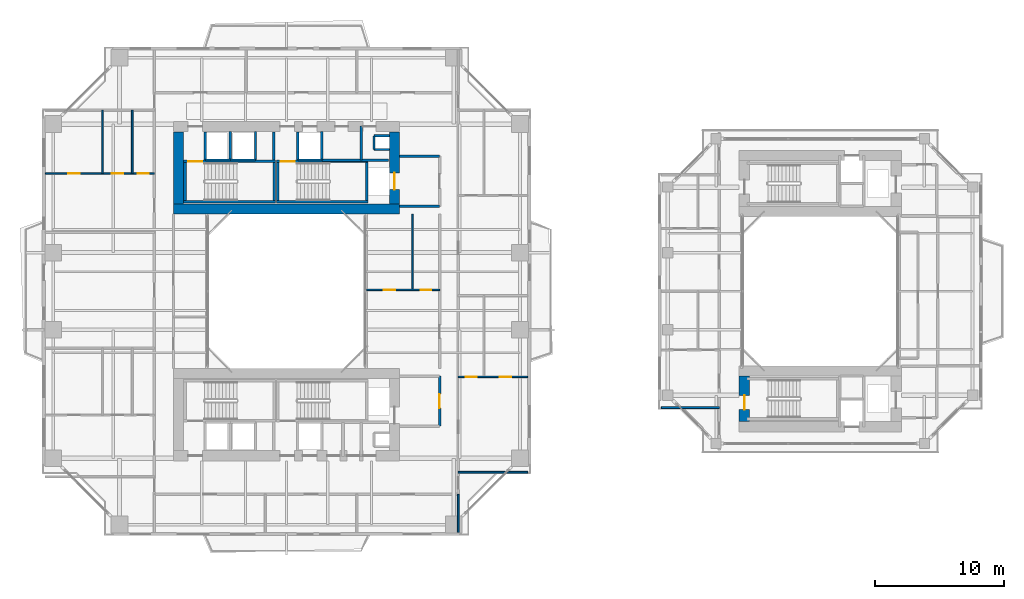
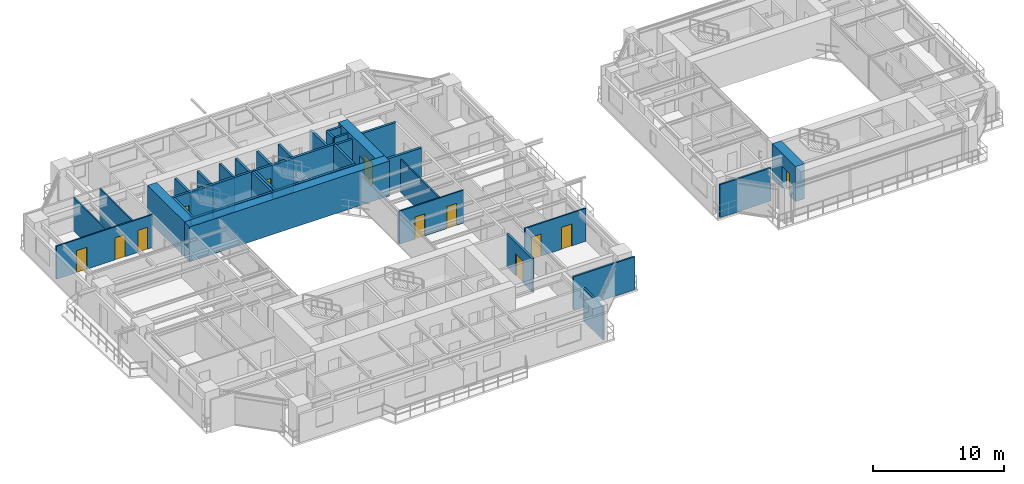
# One storey, part 15 of 23: 38 walls, 12 doors, 12 openings.
"""IFC4 building model written with IfcOpenShell, lengths in metres."""

from ifc_helpers import new_model, si_unit, direction, frame, frame_2d, origin, place, context, subcontext, project, spatial, rectangle, extrude, source, transform, mapped, material, layer, layer_set, type_object, element, fill, save


model = new_model("IFC4")

# Units and contexts
model_context = context("Model", 3, precision=1e-05, world=origin(), true_north=direction((0.0, 1.0)))
body_context = subcontext(model_context, "Body", "Model", "MODEL_VIEW")
ifc_project = project(units=[si_unit("LENGTHUNIT", "METRE"), si_unit("AREAUNIT", "SQUARE_METRE"), si_unit("VOLUMEUNIT", "CUBIC_METRE"), si_unit("PLANEANGLEUNIT", "RADIAN"), si_unit("MASSUNIT", "GRAM", prefix="KILO"), si_unit("THERMODYNAMICTEMPERATUREUNIT", "KELVIN"), si_unit("POWERUNIT", "WATT")], contexts=[model_context])

# Site, building, storey
site_placement = place(None, origin())
site = spatial("IfcSite", under=ifc_project, at=site_placement, CompositionType="ELEMENT")
building_placement = place(site_placement, origin())
building = spatial("IfcBuilding", under=site, at=building_placement, Name="Qiaomeng Ring Towers", CompositionType="ELEMENT")
storey_placement = place(building_placement, frame((0.0, 0.0, 86.0)))
storey = spatial("IfcBuildingStorey", under=building, at=storey_placement, Name="L24", CompositionType="ELEMENT", Elevation=86.0)

# Walls
ifc_material_1 = material(Name="Autoclaved aerated concrete block", Category="concrete")
ifc_layer_1 = layer(ifc_material_1, 0.199951171875, Name="Autoclaved aerated concrete block")
ifc_layer_set_1 = layer_set([ifc_layer_1], Name="Autoclaved aerated concrete block")
wall_type_1 = type_object("IfcWallType", Name="ARC-WL-PW1", PredefinedType="PARTITIONING", material=ifc_layer_set_1)
for number, where, z_axis, x_axis, name in (
    (1, (27.800048828125, 29.60009765625, 0.0), (0.0, 0.0, 1.0), (1.0, 0.0, 0.0), "L24 Interior Wall PW1"),
    (2, (27.800048828125, 33.5, 0.0), (0.0, 0.0, 1.0), (1.0, 0.0, 0.0), "L24 Interior Wall PW1"),
):
    element("IfcWall", number, at=place(storey_placement, frame(where, z_axis=z_axis, x_axis=x_axis)), inside=storey, type_object=wall_type_1, Name=name, PredefinedType="PARTITIONING", context=body_context, shape_type="SweptSolid", body=[
        extrude(rectangle(XDim=3.099853515625, YDim=0.199951171875, at=frame_2d((1.5498046875, 0.0))), origin(), (0.0, 0.0, 1.0), 3.070068359375),
    ])

# Wall, opening, door
wall_1_placement = place(storey_placement, frame((30.89990234375, 12.5, 0.0), z_axis=(0.0, 0.0, 1.0), x_axis=(0.0, 1.0, 0.0)))
wall_1 = element("IfcWall", 3, at=wall_1_placement, inside=storey, type_object=wall_type_1, Name="L24 Interior Wall PW1", PredefinedType="PARTITIONING", context=body_context, shape_type="SweptSolid", body=[
    extrude(rectangle(XDim=3.89990234375, YDim=0.199951171875, at=frame_2d((1.949951171875, 0.0))), origin(), (0.0, 0.0, 1.0), 3.070068359375),
])
opening_1_placement = place(wall_1_placement, frame((1.39990234375, 0.0, 0.0)))
opening_1 = element("IfcOpeningElement", 4, at=opening_1_placement, cuts=wall_1, Name="Opening FD3", PredefinedType="OPENING", context=body_context, shape_type="SweptSolid", body=[
    extrude(rectangle(XDim=1.10009765625, YDim=2.050048828125, at=frame_2d((0.550048828125, 1.02490234375))), frame((0.0, 0.10986328125, 0.0), z_axis=(0.0, -1.0, 0.0), x_axis=(1.0, 0.0, 0.0)), (0.0, 0.0, 1.0), 0.219970703125),
])
ifc_material_2 = material(Name="Galvanised steel", Category="steel")
door_type_1 = type_object("IfcDoorType", Name="ARC-DR-FD3", OperationType="NOTDEFINED", PredefinedType="DOOR", material=ifc_material_2)
shared_shape_1 = source(origin(), body_context, "Body", "SweptSolid", [
    extrude(rectangle(XDim=1.10009765625, YDim=2.050048828125, at=frame_2d((0.550048828125, 1.02490234375))), frame((0.0, 0.02490234375, 0.0), z_axis=(0.0, -1.0, 0.0), x_axis=(1.0, 0.0, 0.0)), (0.0, 0.0, 1.0), 0.050048828125),
])
door_1_placement = place(opening_1_placement, origin())
door_1 = element("IfcDoor", 5, at=door_1_placement, inside=storey, type_object=door_type_1, Name="L24 South FF Lobby Door", OperationType="SINGLE_SWING_RIGHT", OverallHeight=2.050048828125, OverallWidth=1.10009765625, PredefinedType="DOOR", context=body_context, shape_type="MappedRepresentation", body=[
    mapped(shared_shape_1, transform((0.0, 0.0, 0.0), x_axis=(1.0, 0.0, 0.0), y_axis=(0.0, 1.0, 0.0), z_axis=(0.0, 0.0, 1.0), scale=1.0)),
])
fill(opening_1, door_1)

# Walls
for number, where, z_axis, x_axis, name in (
    (6, (12.679931640625, 33.18994140625, 0.0), (0.0, 0.0, 1.0), (0.0, 1.0, 0.0), "L24 Interior Wall PW1"),
    (7, (18.0, 33.18994140625, 0.0), (0.0, 0.0, 1.0), (0.0, 1.0, 0.0), "L24 Interior Wall PW1"),
    (8, (19.8798828125, 33.18994140625, 0.0), (0.0, 0.0, 1.0), (0.0, 1.0, 0.0), "L24 Interior Wall PW1"),
):
    element("IfcWall", number, at=place(storey_placement, frame(where, z_axis=z_axis, x_axis=x_axis)), inside=storey, type_object=wall_type_1, Name=name, PredefinedType="PARTITIONING", context=body_context, shape_type="SweptSolid", body=[
        extrude(rectangle(XDim=2.2099609375, YDim=0.199951171875, at=frame_2d((1.10498046875, 0.0))), origin(), (0.0, 0.0, 1.0), 3.070068359375),
    ])
wall_2_placement = place(storey_placement, frame((24.820068359375, 33.199951171875, 0.0), z_axis=(0.0, 0.0, 1.0), x_axis=(0.0, 1.0, 0.0)))
element("IfcWall", 9, at=wall_2_placement, inside=storey, type_object=wall_type_1, Name="L24 Interior Wall PW1", PredefinedType="PARTITIONING", context=body_context, shape_type="SweptSolid", body=[
    extrude(rectangle(XDim=2.650146484375, YDim=0.199951171875, at=frame_2d((1.3251953125, 0.0))), origin(), (0.0, 0.0, 1.0), 3.070068359375),
])
wall_3_placement = place(storey_placement, frame((21.75, 33.199951171875, 0.0), z_axis=(0.0, 0.0, 1.0), x_axis=(0.0, 1.0, 0.0)))
element("IfcWall", 10, at=wall_3_placement, inside=storey, type_object=wall_type_1, Name="L24 Interior Wall PW1", PredefinedType="PARTITIONING", context=body_context, shape_type="SweptSolid", body=[
    extrude(rectangle(XDim=2.199951171875, YDim=0.199951171875, at=frame_2d((1.10009765625, 0.0))), origin(), (0.0, 0.0, 1.0), 3.070068359375),
])
wall_4_placement = place(storey_placement, frame((21.75, 33.199951171875, 0.0), z_axis=(0.0, 0.0, 1.0), x_axis=(1.0, 0.0, 0.0)))
element("IfcWall", 11, at=wall_4_placement, inside=storey, type_object=wall_type_1, Name="L24 Interior Wall PW1", PredefinedType="PARTITIONING", context=body_context, shape_type="SweptSolid", body=[
    extrude(rectangle(XDim=5.169921875, YDim=0.199951171875, at=frame_2d((2.5849609375, 0.0))), origin(), (0.0, 0.0, 1.0), 3.070068359375),
])
ifc_material_3 = material(Name="Gypsum fireboard steel-stud partition", Category="steel")
ifc_layer_2 = layer(ifc_material_3, 0.14990234375, Name="Gypsum fireboard steel-stud partition")
ifc_layer_set_2 = layer_set([ifc_layer_2], Name="Gypsum fireboard steel-stud partition")
wall_type_2 = type_object("IfcWallType", Name="ARC-WL-PW3", PredefinedType="PARTITIONING", material=ifc_layer_set_2)
wall_5_placement = place(storey_placement, frame((32.35009765625, 4.25, 0.0), z_axis=(0.0, 0.0, 1.0), x_axis=(0.0, 1.0, 0.0)))
element("IfcWall", 12, at=wall_5_placement, inside=storey, type_object=wall_type_2, Name="L24 Interior Wall PW3", PredefinedType="PARTITIONING", context=body_context, shape_type="SweptSolid", body=[
    extrude(rectangle(XDim=2.9599609375, YDim=0.14990234375, at=frame_2d((1.47998046875, 0.0))), origin(), (0.0, 0.0, 1.0), 3.070068359375),
])
wall_6_placement = place(storey_placement, frame((32.35009765625, 8.919921875, 0.0), z_axis=(0.0, 0.0, 1.0), x_axis=(1.0, 0.0, 0.0)))
element("IfcWall", 13, at=wall_6_placement, inside=storey, type_object=wall_type_2, Name="L24 Interior Wall PW3", PredefinedType="PARTITIONING", context=body_context, shape_type="SweptSolid", body=[
    extrude(rectangle(XDim=5.39990234375, YDim=0.14990234375, at=frame_2d((2.699951171875, 0.0))), origin(), (0.0, 0.0, 1.0), 3.070068359375),
])
wall_7_placement = place(storey_placement, frame((48.14990234375, 13.949951171875, 0.0), z_axis=(0.0, 0.0, 1.0), x_axis=(1.0, 0.0, 0.0)))
element("IfcWall", 14, at=wall_7_placement, inside=storey, type_object=wall_type_2, Name="L24 Interior Wall PW3", PredefinedType="PARTITIONING", context=body_context, shape_type="SweptSolid", body=[
    extrude(rectangle(XDim=4.5, YDim=0.14990234375, at=frame_2d((2.25, 0.0))), origin(), (0.0, 0.0, 1.0), 3.070068359375),
])

# Wall, openings, doors
ifc_material_4 = material(Name="Moisture-resistant gypsum steel-stud partition", Category="steel")
ifc_layer_3 = layer(ifc_material_4, 0.1201171875, Name="Moisture-resistant gypsum steel-stud partition")
ifc_layer_set_3 = layer_set([ifc_layer_3], Name="Moisture-resistant gypsum steel-stud partition")
wall_type_3 = type_object("IfcWallType", Name="ARC-WL-PW4", PredefinedType="PLUMBINGWALL", material=ifc_layer_set_3)
wall_8_placement = place(storey_placement, frame((0.25, 32.139892578125, 0.0), z_axis=(0.0, 0.0, 1.0), x_axis=(1.0, 0.0, 0.0)))
wall_8 = element("IfcWall", 15, at=wall_8_placement, inside=storey, type_object=wall_type_3, Name="L24 Interior Wall PW4", PredefinedType="PLUMBINGWALL", context=body_context, shape_type="SweptSolid", body=[
    extrude(rectangle(XDim=8.469970703125, YDim=0.1201171875, at=frame_2d((4.23486328125, 0.0))), origin(), (0.0, 0.0, 1.0), 3.070068359375),
])
opening_2_placement = place(wall_8_placement, frame((1.77490234375, 0.0, 0.0)))
opening_2 = element("IfcOpeningElement", 16, at=opening_2_placement, cuts=wall_8, Name="Opening ID1", PredefinedType="OPENING", context=body_context, shape_type="SweptSolid", body=[
    extrude(rectangle(XDim=0.89990234375, YDim=2.050048828125, at=frame_2d((0.449951171875, 1.02490234375))), frame((0.0, 0.070068359375, 0.0), z_axis=(0.0, -1.0, 0.0), x_axis=(1.0, 0.0, 0.0)), (0.0, 0.0, 1.0), 0.14013671875),
])
opening_3_placement = place(wall_8_placement, frame((5.139892578125, 0.0, 0.0)))
opening_3 = element("IfcOpeningElement", 17, at=opening_3_placement, cuts=wall_8, Name="Opening ID1", PredefinedType="OPENING", context=body_context, shape_type="SweptSolid", body=[
    extrude(rectangle(XDim=0.89990234375, YDim=2.050048828125, at=frame_2d((0.449951171875, 1.02490234375))), frame((0.0, 0.070068359375, 0.0), z_axis=(0.0, -1.0, 0.0), x_axis=(1.0, 0.0, 0.0)), (0.0, 0.0, 1.0), 0.14013671875),
])
opening_4_placement = place(wall_8_placement, frame((7.175048828125, 0.0, 0.0)))
opening_4 = element("IfcOpeningElement", 18, at=opening_4_placement, cuts=wall_8, Name="Opening ID2", PredefinedType="OPENING", context=body_context, shape_type="SweptSolid", body=[
    extrude(rectangle(XDim=0.85009765625, YDim=2.050048828125, at=frame_2d((0.425048828125, 1.02490234375))), frame((0.0, 0.070068359375, 0.0), z_axis=(0.0, -1.0, 0.0), x_axis=(1.0, 0.0, 0.0)), (0.0, 0.0, 1.0), 0.14013671875),
])
ifc_material_5 = material(Name="Moisture-resistant engineered timber", Category="wood")
door_type_2 = type_object("IfcDoorType", Name="ARC-DR-ID2", OperationType="NOTDEFINED", PredefinedType="DOOR", material=ifc_material_5)
shared_shape_2 = source(origin(), body_context, "Body", "SweptSolid", [
    extrude(rectangle(XDim=0.85009765625, YDim=2.050048828125, at=frame_2d((0.425048828125, 1.02490234375))), frame((0.0, 0.02490234375, 0.0), z_axis=(0.0, -1.0, 0.0), x_axis=(1.0, 0.0, 0.0)), (0.0, 0.0, 1.0), 0.050048828125),
])
door_2_placement = place(opening_4_placement, origin())
door_2 = element("IfcDoor", 19, at=door_2_placement, inside=storey, type_object=door_type_2, Name="L24 Door ID2", OperationType="SINGLE_SWING_LEFT", OverallHeight=2.050048828125, OverallWidth=0.85009765625, PredefinedType="DOOR", context=body_context, shape_type="MappedRepresentation", body=[
    mapped(shared_shape_2, transform((0.0, 0.0, 0.0), x_axis=(1.0, 0.0, 0.0), y_axis=(0.0, 1.0, 0.0), z_axis=(0.0, 0.0, 1.0), scale=1.0)),
])
fill(opening_4, door_2)
ifc_material_6 = material(Name="Engineered oak timber", Category="wood")
door_type_3 = type_object("IfcDoorType", Name="ARC-DR-ID1", OperationType="NOTDEFINED", PredefinedType="DOOR", material=ifc_material_6)
shared_shape_3 = source(origin(), body_context, "Body", "SweptSolid", [
    extrude(rectangle(XDim=0.89990234375, YDim=2.050048828125, at=frame_2d((0.449951171875, 1.02490234375))), frame((0.0, 0.02490234375, 0.0), z_axis=(0.0, -1.0, 0.0), x_axis=(1.0, 0.0, 0.0)), (0.0, 0.0, 1.0), 0.050048828125),
])
door_3_placement = place(opening_2_placement, origin())
door_3 = element("IfcDoor", 20, at=door_3_placement, inside=storey, type_object=door_type_3, Name="L24 Door ID1", OperationType="SINGLE_SWING_LEFT", OverallHeight=2.050048828125, OverallWidth=0.89990234375, PredefinedType="DOOR", context=body_context, shape_type="MappedRepresentation", body=[
    mapped(shared_shape_3, transform((0.0, 0.0, 0.0), x_axis=(1.0, 0.0, 0.0), y_axis=(0.0, 1.0, 0.0), z_axis=(0.0, 0.0, 1.0), scale=1.0)),
])
fill(opening_2, door_3)
door_4_placement = place(opening_3_placement, origin())
door_4 = element("IfcDoor", 21, at=door_4_placement, inside=storey, type_object=door_type_3, Name="L24 Door ID1", OperationType="SINGLE_SWING_RIGHT", OverallHeight=2.050048828125, OverallWidth=0.89990234375, PredefinedType="DOOR", context=body_context, shape_type="MappedRepresentation", body=[
    mapped(shared_shape_3, transform((0.0, 0.0, 0.0), x_axis=(1.0, 0.0, 0.0), y_axis=(0.0, 1.0, 0.0), z_axis=(0.0, 0.0, 1.0), scale=1.0)),
])
fill(opening_3, door_4)

# Walls
for number, where, z_axis, x_axis, name in (
    (22, (4.679931640625, 32.139892578125, 0.0), (0.0, 0.0, 1.0), (0.0, 1.0, 0.0), "L24 Interior Wall PW4"),
    (23, (7.0, 32.139892578125, 0.0), (0.0, 0.0, 1.0), (0.0, 1.0, 0.0), "L24 Interior Wall PW4"),
):
    element("IfcWall", number, at=place(storey_placement, frame(where, z_axis=z_axis, x_axis=x_axis)), inside=storey, type_object=wall_type_3, Name=name, PredefinedType="PLUMBINGWALL", context=body_context, shape_type="SweptSolid", body=[
        extrude(rectangle(XDim=4.940185546875, YDim=0.1201171875, at=frame_2d((2.47021484375, 0.0))), origin(), (0.0, 0.0, 1.0), 3.070068359375),
    ])

# Wall, openings, doors
wall_9_placement = place(storey_placement, frame((32.35009765625, 16.340087890625, 0.0), z_axis=(0.0, 0.0, 1.0), x_axis=(1.0, 0.0, 0.0)))
wall_9 = element("IfcWall", 24, at=wall_9_placement, inside=storey, type_object=wall_type_3, Name="L24 Interior Wall PW4", PredefinedType="PLUMBINGWALL", context=body_context, shape_type="SweptSolid", body=[
    extrude(rectangle(XDim=5.39990234375, YDim=0.1201171875, at=frame_2d((2.699951171875, 0.0))), origin(), (0.0, 0.0, 1.0), 3.070068359375),
])
opening_5_placement = place(wall_9_placement, frame((0.5849609375, 0.0, 0.0)))
opening_5 = element("IfcOpeningElement", 25, at=opening_5_placement, cuts=wall_9, Name="Opening ID2", PredefinedType="OPENING", context=body_context, shape_type="SweptSolid", body=[
    extrude(rectangle(XDim=0.85009765625, YDim=2.050048828125, at=frame_2d((0.425048828125, 1.02490234375))), frame((0.0, 0.070068359375, 0.0), z_axis=(0.0, -1.0, 0.0), x_axis=(1.0, 0.0, 0.0)), (0.0, 0.0, 1.0), 0.14013671875),
])
opening_6_placement = place(wall_9_placement, frame((3.239990234375, 0.0, 0.0)))
opening_6 = element("IfcOpeningElement", 26, at=opening_6_placement, cuts=wall_9, Name="Opening ID1", PredefinedType="OPENING", context=body_context, shape_type="SweptSolid", body=[
    extrude(rectangle(XDim=0.89990234375, YDim=2.050048828125, at=frame_2d((0.449951171875, 1.02490234375))), frame((0.0, 0.070068359375, 0.0), z_axis=(0.0, -1.0, 0.0), x_axis=(1.0, 0.0, 0.0)), (0.0, 0.0, 1.0), 0.14013671875),
])
door_5_placement = place(opening_5_placement, origin())
door_5 = element("IfcDoor", 27, at=door_5_placement, inside=storey, type_object=door_type_2, Name="L24 Door ID2", OperationType="SINGLE_SWING_LEFT", OverallHeight=2.050048828125, OverallWidth=0.85009765625, PredefinedType="DOOR", context=body_context, shape_type="MappedRepresentation", body=[
    mapped(shared_shape_2, transform((0.0, 0.0, 0.0), x_axis=(1.0, 0.0, 0.0), y_axis=(0.0, 1.0, 0.0), z_axis=(0.0, 0.0, 1.0), scale=1.0)),
])
fill(opening_5, door_5)
door_6_placement = place(opening_6_placement, origin())
door_6 = element("IfcDoor", 28, at=door_6_placement, inside=storey, type_object=door_type_3, Name="L24 Door ID1", OperationType="SINGLE_SWING_RIGHT", OverallHeight=2.050048828125, OverallWidth=0.89990234375, PredefinedType="DOOR", context=body_context, shape_type="MappedRepresentation", body=[
    mapped(shared_shape_3, transform((0.0, 0.0, 0.0), x_axis=(1.0, 0.0, 0.0), y_axis=(0.0, 1.0, 0.0), z_axis=(0.0, 0.0, 1.0), scale=1.0)),
])
fill(opening_6, door_6)

wall_10_placement = place(storey_placement, frame((25.219970703125, 23.10009765625, 0.0), z_axis=(0.0, 0.0, 1.0), x_axis=(1.0, 0.0, 0.0)))
wall_10 = element("IfcWall", 29, at=wall_10_placement, inside=storey, type_object=wall_type_3, Name="L24 Interior Wall PW4", PredefinedType="PLUMBINGWALL", context=body_context, shape_type="SweptSolid", body=[
    extrude(rectangle(XDim=5.679931640625, YDim=0.1201171875, at=frame_2d((2.83984375, 0.0))), origin(), (0.0, 0.0, 1.0), 3.070068359375),
])
opening_7_placement = place(wall_10_placement, frame((1.35009765625, 0.0, 0.0)))
opening_7 = element("IfcOpeningElement", 30, at=opening_7_placement, cuts=wall_10, Name="Opening ID1", PredefinedType="OPENING", context=body_context, shape_type="SweptSolid", body=[
    extrude(rectangle(XDim=0.89990234375, YDim=2.050048828125, at=frame_2d((0.449951171875, 1.02490234375))), frame((0.0, 0.070068359375, 0.0), z_axis=(0.0, -1.0, 0.0), x_axis=(1.0, 0.0, 0.0)), (0.0, 0.0, 1.0), 0.14013671875),
])
opening_8_placement = place(wall_10_placement, frame((4.195068359375, 0.0, 0.0)))
opening_8 = element("IfcOpeningElement", 31, at=opening_8_placement, cuts=wall_10, Name="Opening ID2", PredefinedType="OPENING", context=body_context, shape_type="SweptSolid", body=[
    extrude(rectangle(XDim=0.85009765625, YDim=2.050048828125, at=frame_2d((0.425048828125, 1.02490234375))), frame((0.0, 0.070068359375, 0.0), z_axis=(0.0, -1.0, 0.0), x_axis=(1.0, 0.0, 0.0)), (0.0, 0.0, 1.0), 0.14013671875),
])
door_7_placement = place(opening_8_placement, origin())
door_7 = element("IfcDoor", 32, at=door_7_placement, inside=storey, type_object=door_type_2, Name="L24 Door ID2", OperationType="SINGLE_SWING_RIGHT", OverallHeight=2.050048828125, OverallWidth=0.85009765625, PredefinedType="DOOR", context=body_context, shape_type="MappedRepresentation", body=[
    mapped(shared_shape_2, transform((0.0, 0.0, 0.0), x_axis=(1.0, 0.0, 0.0), y_axis=(0.0, 1.0, 0.0), z_axis=(0.0, 0.0, 1.0), scale=1.0)),
])
fill(opening_8, door_7)
door_8_placement = place(opening_7_placement, origin())
door_8 = element("IfcDoor", 33, at=door_8_placement, inside=storey, type_object=door_type_3, Name="L24 Door ID1", OperationType="SINGLE_SWING_LEFT", OverallHeight=2.050048828125, OverallWidth=0.89990234375, PredefinedType="DOOR", context=body_context, shape_type="MappedRepresentation", body=[
    mapped(shared_shape_3, transform((0.0, 0.0, 0.0), x_axis=(1.0, 0.0, 0.0), y_axis=(0.0, 1.0, 0.0), z_axis=(0.0, 0.0, 1.0), scale=1.0)),
])
fill(opening_7, door_8)

# Walls
wall_11_placement = place(storey_placement, frame((28.800048828125, 23.10009765625, 0.0), z_axis=(0.0, 0.0, 1.0), x_axis=(0.0, 1.0, 0.0)))
element("IfcWall", 34, at=wall_11_placement, inside=storey, type_object=wall_type_3, Name="L24 Interior Wall PW4", PredefinedType="PLUMBINGWALL", context=body_context, shape_type="SweptSolid", body=[
    extrude(rectangle(XDim=5.89990234375, YDim=0.1201171875, at=frame_2d((2.949951171875, 0.0))), origin(), (0.0, 0.0, 1.0), 3.070068359375),
])
ifc_material_7 = material(Name="Concrete C40", Category="concrete")
ifc_layer_4 = layer(ifc_material_7, 0.199951171875, Name="Concrete C40")
ifc_layer_set_4 = layer_set([ifc_layer_4], Name="Concrete C40")
wall_type_4 = type_object("IfcWallType", Name="STR-WL-STSHAFT", PredefinedType="SHEAR", material=ifc_layer_set_4)
wall_12_placement = place(storey_placement, frame((12.679931640625, 33.199951171875, 0.0), z_axis=(0.0, 0.0, 1.0), x_axis=(1.0, 0.0, 0.0)))
element("IfcWall", 35, at=wall_12_placement, inside=storey, type_object=wall_type_4, Name="L24 Lift LP5 Shaft Back Wall", PredefinedType="SHEAR", context=body_context, shape_type="SweptSolid", body=[
    extrude(rectangle(XDim=1.940185546875, YDim=0.179931640625, at=frame_2d((0.97021484375, 0.0))), origin(), (0.0, 0.0, 1.0), 3.070068359375),
])
wall_13_placement = place(storey_placement, frame((14.6201171875, 33.199951171875, 0.0), z_axis=(0.0, 0.0, 1.0), x_axis=(0.0, 1.0, 0.0)))
element("IfcWall", 36, at=wall_13_placement, inside=storey, type_object=wall_type_4, Name="L24 Lift LP5-LP3 Shaft Divider Wall", PredefinedType="SHEAR", context=body_context, shape_type="SweptSolid", body=[
    extrude(rectangle(XDim=2.199951171875, YDim=0.179931640625, at=frame_2d((1.10009765625, 0.0))), origin(), (0.0, 0.0, 1.0), 3.070068359375),
])
wall_14_placement = place(storey_placement, frame((25.800048828125, 34.02001953125, 0.0), z_axis=(0.0, 0.0, 1.0), x_axis=(0.0, 1.0, 0.0)))
element("IfcWall", 37, at=wall_14_placement, inside=storey, type_object=wall_type_4, Name="L24 Riser RSR1 West Shaft Wall N", PredefinedType="SHEAR", context=body_context, shape_type="SweptSolid", body=[
    extrude(rectangle(XDim=1.06005859375, YDim=0.179931640625, at=frame_2d((0.530029296875, 0.0))), origin(), (0.0, 0.0, 1.0), 3.070068359375),
])
for number, where, z_axis, x_axis, name in (
    (38, (25.800048828125, 35.080078125, 0.0), (0.0, 0.0, 1.0), (1.0, 0.0, 0.0), "L24 Riser RSR1 North Shaft Wall N"),
    (39, (25.800048828125, 34.02001953125, 0.0), (0.0, 0.0, 1.0), (1.0, 0.0, 0.0), "L24 Riser RSR1 South Shaft Wall N"),
):
    element("IfcWall", number, at=place(storey_placement, frame(where, z_axis=z_axis, x_axis=x_axis)), inside=storey, type_object=wall_type_4, Name=name, PredefinedType="SHEAR", context=body_context, shape_type="SweptSolid", body=[
        extrude(rectangle(XDim=1.199951171875, YDim=0.179931640625, at=frame_2d((0.60009765625, 0.0))), origin(), (0.0, 0.0, 1.0), 3.070068359375),
    ])
wall_15_placement = place(storey_placement, frame((14.6201171875, 33.199951171875, 0.0), z_axis=(0.0, 0.0, 1.0), x_axis=(1.0, 0.0, 0.0)))
element("IfcWall", 40, at=wall_15_placement, inside=storey, type_object=wall_type_4, Name="L24 Lift LP3 Shaft Back Wall", PredefinedType="SHEAR", context=body_context, shape_type="SweptSolid", body=[
    extrude(rectangle(XDim=1.9599609375, YDim=0.179931640625, at=frame_2d((0.97998046875, 0.0))), origin(), (0.0, 0.0, 1.0), 3.070068359375),
])
wall_16_placement = place(storey_placement, frame((16.580078125, 33.199951171875, 0.0), z_axis=(0.0, 0.0, 1.0), x_axis=(0.0, 1.0, 0.0)))
element("IfcWall", 41, at=wall_16_placement, inside=storey, type_object=wall_type_4, Name="L24 Lift LP3 East Shaft Wall", PredefinedType="SHEAR", context=body_context, shape_type="SweptSolid", body=[
    extrude(rectangle(XDim=2.199951171875, YDim=0.179931640625, at=frame_2d((1.10009765625, 0.0))), origin(), (0.0, 0.0, 1.0), 3.070068359375),
])
wall_17_placement = place(storey_placement, frame((19.8798828125, 33.199951171875, 0.0), z_axis=(0.0, 0.0, 1.0), x_axis=(1.0, 0.0, 0.0)))
element("IfcWall", 42, at=wall_17_placement, inside=storey, type_object=wall_type_4, Name="L24 Lift LP1 Shaft Back Wall", PredefinedType="SHEAR", context=body_context, shape_type="SweptSolid", body=[
    extrude(rectangle(XDim=1.8701171875, YDim=0.179931640625, at=frame_2d((0.93505859375, 0.0))), origin(), (0.0, 0.0, 1.0), 3.070068359375),
])
wall_18_placement = place(storey_placement, frame((11.0, 29.949951171875, 0.0), z_axis=(0.0, 0.0, 1.0), x_axis=(1.0, 0.0, 0.0)))
element("IfcWall", 43, at=wall_18_placement, inside=storey, type_object=wall_type_4, Name="L24 Stair ST1 South Shaft Shear Wall", PredefinedType="SHEAR", context=body_context, shape_type="SweptSolid", body=[
    extrude(rectangle(XDim=7.14990234375, YDim=0.199951171875, at=frame_2d((3.574951171875, 0.0))), origin(), (0.0, 0.0, 1.0), 3.25),
])

# Wall, opening, door
wall_19_placement = place(storey_placement, frame((11.0, 33.090087890625, 0.0), z_axis=(0.0, 0.0, 1.0), x_axis=(1.0, 0.0, 0.0)))
wall_19 = element("IfcWall", 44, at=wall_19_placement, inside=storey, type_object=wall_type_4, Name="L24 Stair ST1 North Shaft Shear Wall", PredefinedType="SHEAR", context=body_context, shape_type="SweptSolid", body=[
    extrude(rectangle(XDim=7.14990234375, YDim=0.199951171875, at=frame_2d((3.574951171875, 0.0))), origin(), (0.0, 0.0, 1.0), 3.25),
])
opening_9_placement = place(wall_19_placement, frame((0.35009765625, 0.0, 0.0)))
opening_9 = element("IfcOpeningElement", 45, at=opening_9_placement, cuts=wall_19, Name="Opening FD3", PredefinedType="OPENING", context=body_context, shape_type="SweptSolid", body=[
    extrude(rectangle(XDim=1.10009765625, YDim=2.050048828125, at=frame_2d((0.550048828125, 1.02490234375))), frame((0.0, 0.10986328125, 0.0), z_axis=(0.0, -1.0, 0.0), x_axis=(1.0, 0.0, 0.0)), (0.0, 0.0, 1.0), 0.219970703125),
])
door_9_placement = place(opening_9_placement, origin())
door_9 = element("IfcDoor", 46, at=door_9_placement, inside=storey, type_object=door_type_1, Name="L24 Stair ST1 Exit Door", OperationType="SINGLE_SWING_RIGHT", OverallHeight=2.050048828125, OverallWidth=1.10009765625, PredefinedType="DOOR", context=body_context, shape_type="MappedRepresentation", body=[
    mapped(shared_shape_1, transform((0.0, 0.0, 0.0), x_axis=(1.0, 0.0, 0.0), y_axis=(0.0, 1.0, 0.0), z_axis=(0.0, 0.0, 1.0), scale=1.0)),
])
fill(opening_9, door_9)

# Walls
for number, where, z_axis, x_axis, name in (
    (47, (11.10009765625, 30.050048828125, 0.0), (0.0, 0.0, 1.0), (0.0, 1.0, 0.0), "L24 Stair ST1 West Shaft Shear Wall"),
    (48, (18.050048828125, 30.050048828125, 0.0), (0.0, 0.0, 1.0), (0.0, 1.0, 0.0), "L24 Stair ST1 East Shaft Shear Wall"),
):
    element("IfcWall", number, at=place(storey_placement, frame(where, z_axis=z_axis, x_axis=x_axis)), inside=storey, type_object=wall_type_4, Name=name, PredefinedType="SHEAR", context=body_context, shape_type="SweptSolid", body=[
        extrude(rectangle(XDim=2.93994140625, YDim=0.199951171875, at=frame_2d((1.469970703125, 0.0))), origin(), (0.0, 0.0, 1.0), 3.25),
    ])
wall_20_placement = place(storey_placement, frame((18.199951171875, 29.949951171875, 0.0), z_axis=(0.0, 0.0, 1.0), x_axis=(1.0, 0.0, 0.0)))
element("IfcWall", 49, at=wall_20_placement, inside=storey, type_object=wall_type_4, Name="L24 Stair ST2 South Shaft Shear Wall", PredefinedType="SHEAR", context=body_context, shape_type="SweptSolid", body=[
    extrude(rectangle(XDim=7.150146484375, YDim=0.199951171875, at=frame_2d((3.5751953125, 0.0))), origin(), (0.0, 0.0, 1.0), 3.25),
])

# Wall, opening, door
wall_21_placement = place(storey_placement, frame((18.199951171875, 33.090087890625, 0.0), z_axis=(0.0, 0.0, 1.0), x_axis=(1.0, 0.0, 0.0)))
wall_21 = element("IfcWall", 50, at=wall_21_placement, inside=storey, type_object=wall_type_4, Name="L24 Stair ST2 North Shaft Shear Wall", PredefinedType="SHEAR", context=body_context, shape_type="SweptSolid", body=[
    extrude(rectangle(XDim=7.150146484375, YDim=0.199951171875, at=frame_2d((3.5751953125, 0.0))), origin(), (0.0, 0.0, 1.0), 3.25),
])
opening_10_placement = place(wall_21_placement, frame((0.35009765625, 0.0, 0.0)))
opening_10 = element("IfcOpeningElement", 51, at=opening_10_placement, cuts=wall_21, Name="Opening FD3", PredefinedType="OPENING", context=body_context, shape_type="SweptSolid", body=[
    extrude(rectangle(XDim=1.10009765625, YDim=2.050048828125, at=frame_2d((0.550048828125, 1.02490234375))), frame((0.0, 0.10986328125, 0.0), z_axis=(0.0, -1.0, 0.0), x_axis=(1.0, 0.0, 0.0)), (0.0, 0.0, 1.0), 0.219970703125),
])
door_10_placement = place(opening_10_placement, origin())
door_10 = element("IfcDoor", 52, at=door_10_placement, inside=storey, type_object=door_type_1, Name="L24 Stair ST2 Exit Door", OperationType="SINGLE_SWING_RIGHT", OverallHeight=2.050048828125, OverallWidth=1.10009765625, PredefinedType="DOOR", context=body_context, shape_type="MappedRepresentation", body=[
    mapped(shared_shape_1, transform((0.0, 0.0, 0.0), x_axis=(1.0, 0.0, 0.0), y_axis=(0.0, 1.0, 0.0), z_axis=(0.0, 0.0, 1.0), scale=1.0)),
])
fill(opening_10, door_10)

# Walls
for number, where, z_axis, x_axis, name in (
    (53, (18.300048828125, 30.050048828125, 0.0), (0.0, 0.0, 1.0), (0.0, 1.0, 0.0), "L24 Stair ST2 West Shaft Shear Wall"),
    (54, (25.25, 30.050048828125, 0.0), (0.0, 0.0, 1.0), (0.0, 1.0, 0.0), "L24 Stair ST2 East Shaft Shear Wall"),
):
    element("IfcWall", number, at=place(storey_placement, frame(where, z_axis=z_axis, x_axis=x_axis)), inside=storey, type_object=wall_type_4, Name=name, PredefinedType="SHEAR", context=body_context, shape_type="SweptSolid", body=[
        extrude(rectangle(XDim=2.93994140625, YDim=0.199951171875, at=frame_2d((1.469970703125, 0.0))), origin(), (0.0, 0.0, 1.0), 3.25),
    ])
ifc_material_8 = material(Name="Concrete C60", Category="concrete")
ifc_layer_5 = layer(ifc_material_8, 0.800048828125, Name="Concrete C60")
ifc_layer_set_5 = layer_set([ifc_layer_5], Name="Concrete C60")
wall_type_5 = type_object("IfcWallType", Name="STR-WL-SW1", PredefinedType="SHEAR", material=ifc_layer_set_5)
wall_22_placement = place(storey_placement, frame((10.199951171875, 29.39990234375, 0.0), z_axis=(0.0, 0.0, 1.0), x_axis=(1.0, 0.0, 0.0)))
element("IfcWall", 55, at=wall_22_placement, inside=storey, type_object=wall_type_5, Name="L24 T1NC south core shear wall", PredefinedType="SHEAR", context=body_context, shape_type="SweptSolid", body=[
    extrude(rectangle(XDim=17.60009765625, YDim=0.800048828125, at=frame_2d((8.800048828125, 0.0))), origin(), (0.0, 0.0, 1.0), 3.25),
])
wall_23_placement = place(storey_placement, frame((10.60009765625, 29.800048828125, 0.0), z_axis=(0.0, 0.0, 1.0), x_axis=(0.0, 1.0, 0.0)))
element("IfcWall", 56, at=wall_23_placement, inside=storey, type_object=wall_type_5, Name="L24 T1NC west core shear wall", PredefinedType="SHEAR", context=body_context, shape_type="SweptSolid", body=[
    extrude(rectangle(XDim=5.599853515625, YDim=0.800048828125, at=frame_2d((2.7998046875, 0.0))), origin(), (0.0, 0.0, 1.0), 3.25),
])

# Wall, opening, door
wall_24_placement = place(storey_placement, frame((27.39990234375, 29.800048828125, 0.0), z_axis=(0.0, 0.0, 1.0), x_axis=(0.0, 1.0, 0.0)))
wall_24 = element("IfcWall", 57, at=wall_24_placement, inside=storey, type_object=wall_type_5, Name="L24 T1NC east core shear wall", PredefinedType="SHEAR", context=body_context, shape_type="SweptSolid", body=[
    extrude(rectangle(XDim=5.599853515625, YDim=0.800048828125, at=frame_2d((2.7998046875, 0.0))), origin(), (0.0, 0.0, 1.0), 3.25),
])
opening_11_placement = place(wall_24_placement, frame((1.10009765625, 0.0, 0.0)))
opening_11 = element("IfcOpeningElement", 58, at=opening_11_placement, cuts=wall_24, Name="Opening LD2", PredefinedType="OPENING", context=body_context, shape_type="SweptSolid", body=[
    extrude(rectangle(XDim=1.300048828125, YDim=2.050048828125, at=frame_2d((0.64990234375, 1.02490234375))), frame((0.0, 0.409912109375, 0.0), z_axis=(0.0, -1.0, 0.0), x_axis=(1.0, 0.0, 0.0)), (0.0, 0.0, 1.0), 0.820068359375),
])
ifc_material_9 = material(Name="Stainless steel 316", Category="steel")
door_type_4 = type_object("IfcDoorType", Name="ARC-DR-LD2", OperationType="NOTDEFINED", PredefinedType="DOOR", material=ifc_material_9)
shared_shape_4 = source(origin(), body_context, "Body", "SweptSolid", [
    extrude(rectangle(XDim=1.300048828125, YDim=2.050048828125, at=frame_2d((0.64990234375, 1.02490234375))), frame((0.0, 0.02490234375, 0.0), z_axis=(0.0, -1.0, 0.0), x_axis=(1.0, 0.0, 0.0)), (0.0, 0.0, 1.0), 0.050048828125),
])
door_11_placement = place(opening_11_placement, origin())
door_11 = element("IfcDoor", 59, at=door_11_placement, inside=storey, type_object=door_type_4, Name="L24 Firefighting Lift FL1 Landing Door", OperationType="SLIDING_TO_LEFT", OverallHeight=2.050048828125, OverallWidth=1.300048828125, PredefinedType="DOOR", context=body_context, shape_type="MappedRepresentation", body=[
    mapped(shared_shape_4, transform((0.0, 0.0, 0.0), x_axis=(1.0, 0.0, 0.0), y_axis=(0.0, 1.0, 0.0), z_axis=(0.0, 0.0, 1.0), scale=1.0)),
])
fill(opening_11, door_11)

wall_25_placement = place(storey_placement, frame((54.60009765625, 12.85009765625, 0.0), z_axis=(0.0, 0.0, 1.0), x_axis=(0.0, 1.0, 0.0)))
wall_25 = element("IfcWall", 60, at=wall_25_placement, inside=storey, type_object=wall_type_5, Name="L24 T2SC west core shear wall", PredefinedType="SHEAR", context=body_context, shape_type="SweptSolid", body=[
    extrude(rectangle(XDim=3.5498046875, YDim=0.800048828125, at=frame_2d((1.77490234375, 0.0))), origin(), (0.0, 0.0, 1.0), 3.25),
])
opening_12_placement = place(wall_25_placement, frame((0.949951171875, 0.0, 0.0)))
opening_12 = element("IfcOpeningElement", 61, at=opening_12_placement, cuts=wall_25, Name="Opening FD3", PredefinedType="OPENING", context=body_context, shape_type="SweptSolid", body=[
    extrude(rectangle(XDim=1.10009765625, YDim=2.050048828125, at=frame_2d((0.550048828125, 1.02490234375))), frame((0.0, 0.409912109375, 0.0), z_axis=(0.0, -1.0, 0.0), x_axis=(1.0, 0.0, 0.0)), (0.0, 0.0, 1.0), 0.820068359375),
])
door_12_placement = place(opening_12_placement, origin())
door_12 = element("IfcDoor", 62, at=door_12_placement, inside=storey, type_object=door_type_1, Name="L24 Stair ST6 Exit Door", OperationType="SINGLE_SWING_LEFT", OverallHeight=2.050048828125, OverallWidth=1.10009765625, PredefinedType="DOOR", context=body_context, shape_type="MappedRepresentation", body=[
    mapped(shared_shape_1, transform((0.0, 0.0, 0.0), x_axis=(1.0, 0.0, 0.0), y_axis=(0.0, 1.0, 0.0), z_axis=(0.0, 0.0, 1.0), scale=1.0)),
])
fill(opening_12, door_12)

save(model, "model.ifc")
